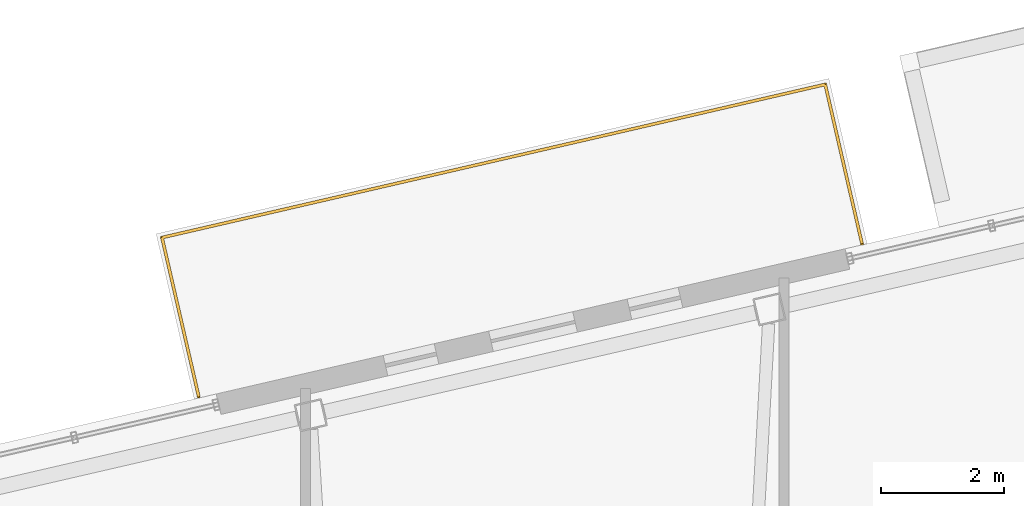
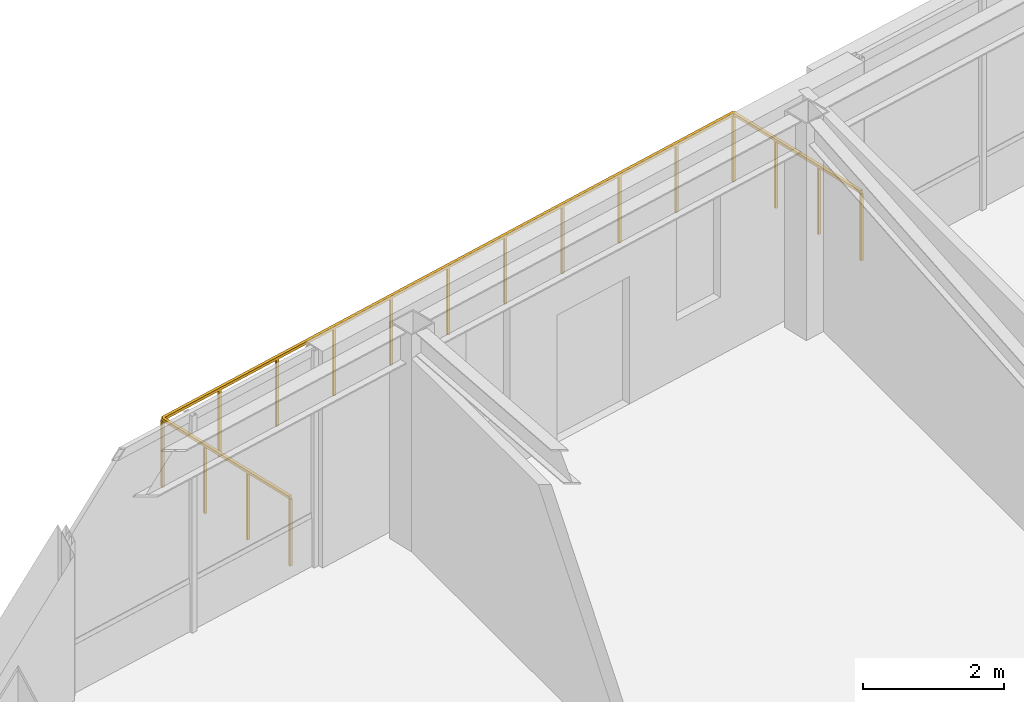
# One storey, part 24 of 24: 1 railing.
"""IFC4 building model written with IfcOpenShell, lengths in metres."""

from ifc_helpers import new_model, si_unit, direction, frame, origin, origin_2d, place, context, subcontext, project, spatial, rectangle, extrude, material, layer, layer_set, type_object, element, save


model = new_model("IFC4")

# Units and contexts
model_context = context("Model", 3, precision=1e-05, world=origin(), true_north=direction((0.0, 1.0)))
body_context = subcontext(model_context, "Body", "Model", "MODEL_VIEW")
ifc_project = project(units=[si_unit("LENGTHUNIT", "METRE"), si_unit("AREAUNIT", "SQUARE_METRE"), si_unit("VOLUMEUNIT", "CUBIC_METRE"), si_unit("PLANEANGLEUNIT", "RADIAN"), si_unit("MASSUNIT", "GRAM", prefix="KILO")], contexts=[model_context])

# Site, building, storey
site_placement = place(None, origin())
site = spatial("IfcSite", under=ifc_project, at=site_placement, CompositionType="ELEMENT")
building_placement = place(site_placement, origin())
building = spatial("IfcBuilding", under=site, at=building_placement, Name="Tavrogorsk Clinical Tower", CompositionType="ELEMENT")
storey_placement = place(building_placement, frame((0.0, 0.0, 321.0)))
storey = spatial("IfcBuildingStorey", under=building, at=storey_placement, Name="L75", CompositionType="ELEMENT", Elevation=321.0)

# Railing
ifc_material = material(Name="Stainless steel AISI 316 and laminated glass balustrade", Category="steel")
ifc_layer = layer(ifc_material, 0.090087890625)
ifc_layer_set = layer_set([ifc_layer], Name="Stainless steel AISI 316 and laminated glass balustrade")
railing_type = type_object("IfcRailingType", Name="TerraceGuardRailing_1200", PredefinedType="BALUSTRADE", material=ifc_layer_set)
railing_placement = place(storey_placement, frame((-12.889404296875, 19.095947265625, 0.0)))
element("IfcRailing", 1, at=railing_placement, inside=storey, type_object=railing_type, Name="L75 Spiralling Terrace Balustrade GD-01", PredefinedType="BALUSTRADE", context=body_context, shape_type="SweptSolid", body=[
    extrude(rectangle(XDim=0.048095703125, YDim=0.048095703125, at=origin_2d()), frame((0.0, 0.0, 1.17578125), z_axis=(-0.224980619228, 0.974363238721, 0.0), x_axis=(-0.974363238721, -0.224980619228, 0.0)), (0.0, 0.0, 1.0), 2.64990234375),
    extrude(rectangle(XDim=0.048095703125, YDim=0.048095703125, at=origin_2d()), frame((-0.59619140625, 2.58203125, 1.17578125), z_axis=(0.974371438286, 0.224945104974, 0.0), x_axis=(-0.224945104974, 0.974371438286, 0.0)), (0.0, 0.0, 1.0), 11.0400390625),
    extrude(rectangle(XDim=0.048095703125, YDim=0.048095703125, at=origin_2d()), frame((10.160888671875, 5.0654296875, 1.17578125), z_axis=(0.224980619228, -0.974363238721, 0.0), x_axis=(0.974363238721, 0.224980619228, 0.0)), (0.0, 0.0, 1.0), 2.64990234375),
    extrude(rectangle(XDim=0.0419921875, YDim=0.0419921875, at=origin_2d()), origin(), (0.0, 0.0, 1.0), 1.15185546875),
    extrude(rectangle(XDim=0.0419921875, YDim=0.0419921875, at=origin_2d()), frame((-0.19873046875, 0.860595703125, 0.0)), (0.0, 0.0, 1.0), 1.15185546875),
    extrude(rectangle(XDim=0.0419921875, YDim=0.0419921875, at=origin_2d()), frame((-0.3974609375, 1.721435546875, 0.0)), (0.0, 0.0, 1.0), 1.15185546875),
    extrude(rectangle(XDim=0.0419921875, YDim=0.0419921875, at=origin_2d()), frame((-0.59619140625, 2.58203125, 0.0)), (0.0, 0.0, 1.0), 1.15185546875),
    extrude(rectangle(XDim=0.0419921875, YDim=0.0419921875, at=origin_2d()), frame((0.4794921875, 2.830322265625, 0.0)), (0.0, 0.0, 1.0), 1.15185546875),
    extrude(rectangle(XDim=0.0419921875, YDim=0.0419921875, at=origin_2d()), frame((1.55517578125, 3.07861328125, 0.0)), (0.0, 0.0, 1.0), 1.15185546875),
    extrude(rectangle(XDim=0.0419921875, YDim=0.0419921875, at=origin_2d()), frame((2.630859375, 3.3271484375, 0.0)), (0.0, 0.0, 1.0), 1.15185546875),
    extrude(rectangle(XDim=0.0419921875, YDim=0.0419921875, at=origin_2d()), frame((3.70654296875, 3.575439453125, 0.0)), (0.0, 0.0, 1.0), 1.15185546875),
    extrude(rectangle(XDim=0.0419921875, YDim=0.0419921875, at=origin_2d()), frame((4.7822265625, 3.82373046875, 0.0)), (0.0, 0.0, 1.0), 1.15185546875),
    extrude(rectangle(XDim=0.0419921875, YDim=0.0419921875, at=origin_2d()), frame((5.858154296875, 4.072021484375, 0.0)), (0.0, 0.0, 1.0), 1.15185546875),
    extrude(rectangle(XDim=0.0419921875, YDim=0.0419921875, at=origin_2d()), frame((6.933837890625, 4.3203125, 0.0)), (0.0, 0.0, 1.0), 1.15185546875),
    extrude(rectangle(XDim=0.0419921875, YDim=0.0419921875, at=origin_2d()), frame((8.009521484375, 4.56884765625, 0.0)), (0.0, 0.0, 1.0), 1.15185546875),
    extrude(rectangle(XDim=0.0419921875, YDim=0.0419921875, at=origin_2d()), frame((9.085205078125, 4.817138671875, 0.0)), (0.0, 0.0, 1.0), 1.15185546875),
    extrude(rectangle(XDim=0.0419921875, YDim=0.0419921875, at=origin_2d()), frame((10.160888671875, 5.0654296875, 0.0)), (0.0, 0.0, 1.0), 1.15185546875),
    extrude(rectangle(XDim=0.0419921875, YDim=0.0419921875, at=origin_2d()), frame((10.359619140625, 4.204833984375, 0.0)), (0.0, 0.0, 1.0), 1.15185546875),
    extrude(rectangle(XDim=0.0419921875, YDim=0.0419921875, at=origin_2d()), frame((10.558349609375, 3.343994140625, 0.0)), (0.0, 0.0, 1.0), 1.15185546875),
    extrude(rectangle(XDim=0.0419921875, YDim=0.0419921875, at=origin_2d()), frame((10.757080078125, 2.4833984375, 0.0)), (0.0, 0.0, 1.0), 1.15185546875),
])

save(model, "model.ifc")
